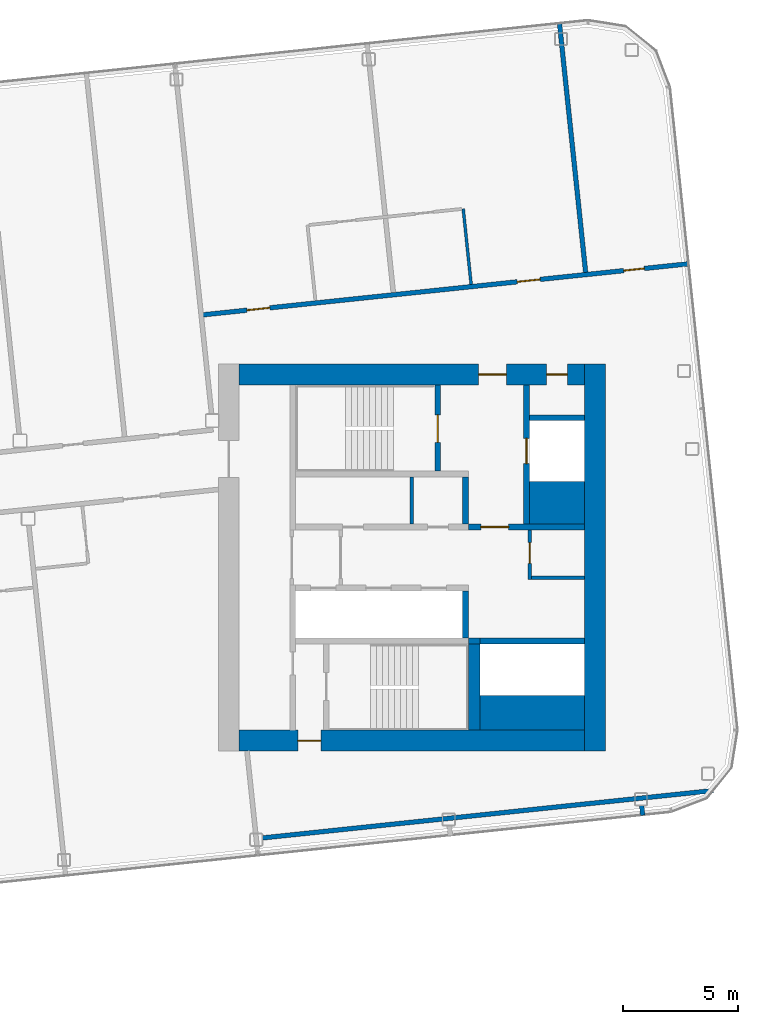
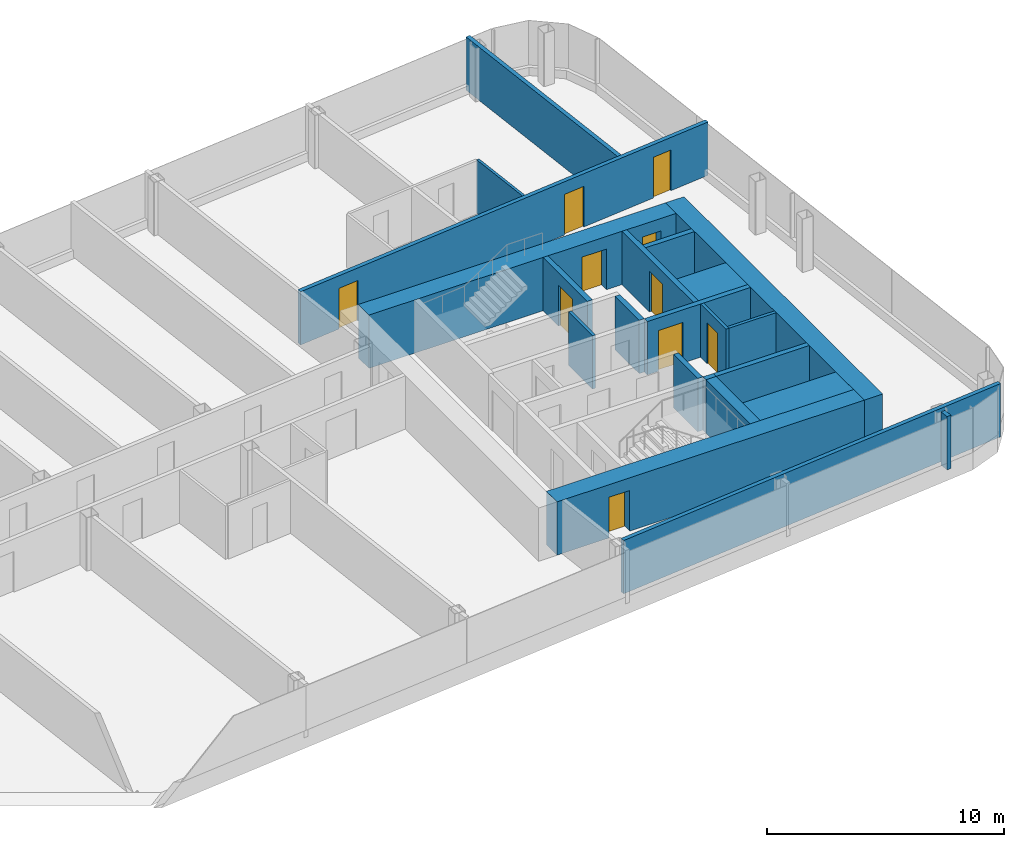
# One storey, part 18 of 27: 22 walls, 10 doors, 10 openings.
"""IFC4 building model written with IfcOpenShell, lengths in metres."""

import ifcopenshell
import ifcopenshell.guid

model = None  # the IFC model being written
_history = None  # IfcOwnerHistory: only IFC2X3 demands one
_inside = {}  # id of a spatial element -> (the spatial element, [elements in it])
_under = {}  # id of a project, library or spatial element -> (it, [spatial elements below it])
_declared = {}  # id of a project -> (the project, [libraries it declares])
_typed = {}  # id of a type object -> (the type object, [elements of that type])
_made_of = {}  # id of a material, layer set ... -> (it, [elements and type objects made of it])


def new_model(schema):
    """Start an empty IFC model of exactly this schema.

    Asked for "IFC4X3", IfcOpenShell would pick the latest addendum, in which some entities
    have other attributes; the version numbers below select the first issue.
    IFC2X3 requires an IfcOwnerHistory on every rooted entity: one is made here for all.
    """
    global model, _history
    if schema == "IFC4X3":
        model = ifcopenshell.file(schema_version=(4, 3, 0, 0))
    else:
        model = ifcopenshell.file(schema=schema)
    _inside.clear()
    _under.clear()
    _declared.clear()
    _typed.clear()
    _made_of.clear()
    _history = None
    if model.schema == "IFC2X3":
        org = make("IfcOrganization", Name="unknown")
        user = make(
            "IfcPersonAndOrganization",
            ThePerson=make("IfcPerson", FamilyName="unknown"),
            TheOrganization=org,
        )
        app = make(
            "IfcApplication",
            ApplicationDeveloper=org,
            Version="unknown",
            ApplicationFullName="unknown",
            ApplicationIdentifier="unknown",
        )
        _history = make(
            "IfcOwnerHistory",
            OwningUser=user,
            OwningApplication=app,
            ChangeAction="ADDED",
            CreationDate=0,
        )
    return model


def make(cls, **values):
    """One entity of the class cls with the attributes given. An attribute that is None is left unset."""
    return model.create_entity(
        cls, **{name: value for name, value in values.items() if value is not None}
    )


def rooted(cls, **values):
    """An entity with a GlobalId (a new one), such as an element, a storey or a relation."""
    return make(cls, GlobalId=ifcopenshell.guid.new(), OwnerHistory=_history, **values)


def si_unit(unit_type, name, prefix=None):
    """IfcSIUnit, for example si_unit("LENGTHUNIT", "METRE", prefix="MILLI")."""
    return make("IfcSIUnit", UnitType=unit_type, Prefix=prefix, Name=name)


def assignment(units):
    """IfcUnitAssignment: the units of a project."""
    return None if units is None else make("IfcUnitAssignment", Units=units)


def point(xyz):
    """IfcCartesianPoint."""
    return None if xyz is None else make("IfcCartesianPoint", Coordinates=xyz)


def direction(xyz):
    """IfcDirection."""
    return None if xyz is None else make("IfcDirection", DirectionRatios=xyz)


def frame(location, z_axis=None, x_axis=None):
    """IfcAxis2Placement3D, a coordinate frame: its origin and axes. An axis left out is left unset."""
    return make(
        "IfcAxis2Placement3D",
        Location=point(location),
        Axis=direction(z_axis),
        RefDirection=direction(x_axis),
    )


def frame_2d(location, x_axis=None):
    """IfcAxis2Placement2D, a coordinate frame in the plane: its origin and x axis."""
    return make(
        "IfcAxis2Placement2D", Location=point(location), RefDirection=direction(x_axis)
    )


def origin():
    """The frame at (0, 0, 0) with its axes left unset."""
    return frame((0.0, 0.0, 0.0))


def place(relative_to, where):
    """IfcLocalPlacement: puts the frame where relative to a parent placement (None: the world)."""
    return make(
        "IfcLocalPlacement", PlacementRelTo=relative_to, RelativePlacement=where
    )


def context(
    kind, dimensions, precision=None, world=None, true_north=None, identifier=None
):
    """IfcGeometricRepresentationContext, for example the 3D "Model" context."""
    return make(
        "IfcGeometricRepresentationContext",
        ContextIdentifier=identifier,
        ContextType=kind,
        CoordinateSpaceDimension=dimensions,
        Precision=precision,
        WorldCoordinateSystem=world,
        TrueNorth=true_north,
    )


def subcontext(parent, identifier, kind, view, scale=None):
    """IfcGeometricRepresentationSubContext, for example "Body" below "Model"."""
    return make(
        "IfcGeometricRepresentationSubContext",
        ContextIdentifier=identifier,
        ContextType=kind,
        ParentContext=parent,
        TargetScale=scale,
        TargetView=view,
    )


def project(units=None, contexts=None):
    """IfcProject with its units and contexts."""
    return rooted(
        "IfcProject",
        Name="project",
        RepresentationContexts=contexts,
        UnitsInContext=assignment(units),
    )


def spatial(cls, under=None, at=None, **own):
    """A site, building, storey or space (cls), placed at a placement, below another one or the project."""
    s = rooted(cls, ObjectPlacement=at, **own)
    if under is not None:
        _under.setdefault(under.id(), (under, []))[1].append(s)
    return s


def profile(cls, at=None, kind="AREA", **sizes):
    """A parametric profile (cls). Its sizes go by their IFC names, for example OverallWidth=200.0."""
    return make(cls, ProfileType=kind, Position=at, **sizes)


def rectangle(**sizes):
    """IfcRectangleProfileDef."""
    return profile("IfcRectangleProfileDef", **sizes)


def extrude(swept, where, along, depth):
    """IfcExtrudedAreaSolid: the profile swept, set in the frame where, extruded along a direction by depth."""
    return make(
        "IfcExtrudedAreaSolid",
        SweptArea=swept,
        Position=where,
        ExtrudedDirection=direction(along),
        Depth=depth,
    )


def shape(context_of_items, identifier, shape_type, items):
    """IfcShapeRepresentation: the items that make up one representation, for example the "Body"."""
    return make(
        "IfcShapeRepresentation",
        ContextOfItems=context_of_items,
        RepresentationIdentifier=identifier,
        RepresentationType=shape_type,
        Items=items,
    )


def material(Name=None, Category=None):
    """IfcMaterial."""
    return make("IfcMaterial", Name=Name, Category=Category)


def layer(
    of_material, thickness, ventilated=None, Name=None, Category=None, Priority=None
):
    """IfcMaterialLayer: one layer of a wall or slab, of a material (None: an air gap)."""
    return make(
        "IfcMaterialLayer",
        Material=of_material,
        LayerThickness=thickness,
        IsVentilated=ventilated,
        Name=Name,
        Category=Category,
        Priority=Priority,
    )


def layer_set(layers, Name=None):
    """IfcMaterialLayerSet."""
    return make("IfcMaterialLayerSet", MaterialLayers=layers, LayerSetName=Name)


def made_of(thing, what):
    """Note that an element or type object is made of a material, layer set ...; save() writes the relation."""
    if what is not None:
        _made_of.setdefault(what.id(), (what, []))[1].append(thing)
    return thing


def type_object(cls, material=None, **own):
    """A type object (cls), such as IfcWallType, which elements share."""
    return made_of(rooted(cls, **own), material)


def element(
    cls,
    number,
    at=None,
    inside=None,
    cuts=None,
    type_object=None,
    material=None,
    context=None,
    identifier="Body",
    shape_type=None,
    held_by="IfcProductDefinitionShape",
    body=None,
    shapes=None,
    **own,
):
    """One element of the class cls, such as IfcWall. Its Tag is "e" and its number.

    at: its placement. inside: the storey or other place that contains it. cuts: it is an
    opening in that element (IfcRelVoidsElement). A single representation is given by context,
    identifier, shape_type and body (its items); several are given by shapes. held_by: the class
    of the entity that holds the representations. save() writes the other relations.
    """
    e = rooted(cls, Tag="e%d" % number, ObjectPlacement=at, **own)
    if body is not None:
        shapes = [shape(context, identifier, shape_type, body)]
    if shapes is not None:
        e.Representation = make(held_by, Representations=shapes)
    if inside is not None:
        _inside.setdefault(inside.id(), (inside, []))[1].append(e)
    if cuts is not None:
        rooted(
            "IfcRelVoidsElement", RelatingBuildingElement=cuts, RelatedOpeningElement=e
        )
    if type_object is not None:
        _typed.setdefault(type_object.id(), (type_object, []))[1].append(e)
    return made_of(e, material)


def fill(opening, filler):
    """IfcRelFillsElement: the door or window that sits in an opening."""
    return rooted(
        "IfcRelFillsElement",
        RelatingOpeningElement=opening,
        RelatedBuildingElement=filler,
    )


def aggregate(whole, parts):
    """IfcRelAggregates: a whole, such as a stair, and the parts it consists of."""
    return rooted("IfcRelAggregates", RelatingObject=whole, RelatedObjects=parts)


def save(model, path):
    """Write the relations noted so far, then the file.

    IfcRelAggregates (storeys below a building ...), IfcRelContainedInSpatialStructure (elements
    in a storey), IfcRelDefinesByType, IfcRelAssociatesMaterial and IfcRelDeclares: one each for
    every whole, place, type object, material and project.
    """
    for whole, parts in _under.values():
        aggregate(whole, parts)
    for where, things in _inside.values():
        rooted(
            "IfcRelContainedInSpatialStructure",
            RelatedElements=things,
            RelatingStructure=where,
        )
    for kind, things in _typed.values():
        rooted("IfcRelDefinesByType", RelatedObjects=things, RelatingType=kind)
    for what, things in _made_of.values():
        rooted("IfcRelAssociatesMaterial", RelatedObjects=things, RelatingMaterial=what)
    for by, libraries in _declared.values():
        rooted("IfcRelDeclares", RelatingContext=by, RelatedDefinitions=libraries)
    model.write(path)


model = new_model("IFC4")

# Units and contexts
model_context = context("Model", 3, precision=1e-05, world=origin(), true_north=direction((0.0, 1.0)))
body_context = subcontext(model_context, "Body", "Model", "MODEL_VIEW")
ifc_project = project(units=[si_unit("LENGTHUNIT", "METRE"), si_unit("AREAUNIT", "SQUARE_METRE"), si_unit("VOLUMEUNIT", "CUBIC_METRE"), si_unit("PLANEANGLEUNIT", "RADIAN"), si_unit("MASSUNIT", "GRAM", prefix="KILO")], contexts=[model_context])

# Site, building, storey
site_placement = place(None, origin())
site = spatial("IfcSite", under=ifc_project, at=site_placement, CompositionType="ELEMENT")
building_placement = place(site_placement, origin())
building = spatial("IfcBuilding", under=site, at=building_placement, Name="Hakoniwa Tower and Hamabe Station Hall", CompositionType="ELEMENT")
storey_placement = place(building_placement, frame((0.0, 0.0, 239.0)))
storey = spatial("IfcBuildingStorey", under=building, at=storey_placement, Name="L67", CompositionType="ELEMENT", Elevation=239.0)

# Wall
ifc_material_1 = material(Name="Gypsum board partition", Category="gypsum")
ifc_layer_1 = layer(ifc_material_1, 0.125)
ifc_layer_set_1 = layer_set([ifc_layer_1], Name="Bathroom Partition 125")
wall_type_1 = type_object("IfcWallType", Name="Bathroom Partition 125", PredefinedType="PARTITIONING", material=ifc_layer_set_1)
wall_1_placement = place(storey_placement, frame((27.773193359375, 11.865966796875, 0.0), z_axis=(0.0, 0.0, 1.0), x_axis=(-0.104534592565, 0.994521251134, 0.0)))
element("IfcWall", 1, at=wall_1_placement, inside=storey, type_object=wall_type_1, Name="GW-L67-041", PredefinedType="PARTITIONING", context=body_context, shape_type="SweptSolid", body=[
    extrude(rectangle(XDim=3.300048828125, YDim=0.125, at=frame_2d((1.64990234375, 0.0))), origin(), (0.0, 0.0, 1.0), 2.75),
])

# Wall, opening, door
ifc_material_2 = material(Name="Gypsum board partition")
ifc_layer_2 = layer(ifc_material_2, 0.14990234375)
ifc_layer_set_2 = layer_set([ifc_layer_2], Name="CORE PARTITION 150 EI 60")
wall_type_2 = type_object("IfcWallType", Name="CORE PARTITION 150 EI 60", PredefinedType="PARTITIONING", material=ifc_layer_set_2)
wall_2_placement = place(storey_placement, frame((30.324951171875, -0.949951171875, 0.0), z_axis=(0.0, 0.0, 1.0), x_axis=(0.0, 1.0, 0.0)))
wall_2 = element("IfcWall", 2, at=wall_2_placement, inside=storey, type_object=wall_type_2, Name="Core partition PW0 east", PredefinedType="PARTITIONING", context=body_context, shape_type="SweptSolid", body=[
    extrude(rectangle(XDim=2.14990234375, YDim=0.14990234375, at=frame_2d((1.074951171875, 0.0))), origin(), (0.0, 0.0, 1.0), 2.75),
])
opening_1_placement = place(wall_2_placement, frame((0.699951171875, 0.0, 0.0)))
opening_1 = element("IfcOpeningElement", 3, at=opening_1_placement, cuts=wall_2, Name="Opening CD-E-RM1-9", PredefinedType="OPENING", context=body_context, shape_type="SweptSolid", body=[
    extrude(rectangle(XDim=0.89990234375, YDim=2.10009765625, at=frame_2d((0.449951171875, 1.050048828125))), frame((0.0, 0.0849609375, 0.0), z_axis=(0.0, -1.0, 0.0), x_axis=(1.0, 0.0, 0.0)), (0.0, 0.0, 1.0), 0.169921875),
])
ifc_material_3 = material(Name="Steel fire door", Category="steel")
door_type_1 = type_object("IfcDoorType", Name="CORE DOOR 900 FD30", OperationType="NOTDEFINED", PredefinedType="DOOR", material=ifc_material_3)
door_1_placement = place(opening_1_placement, origin())
door_1 = element("IfcDoor", 4, at=door_1_placement, inside=storey, type_object=door_type_1, Name="Store room door", OperationType="SINGLE_SWING_LEFT", OverallHeight=2.10009765625, OverallWidth=0.89990234375, PredefinedType="DOOR", context=body_context, shape_type="SweptSolid", body=[
    extrude(rectangle(XDim=0.89990234375, YDim=2.10009765625, at=frame_2d((0.449951171875, 1.050048828125))), frame((0.0, 0.02490234375, 0.0), z_axis=(0.0, -1.0, 0.0), x_axis=(1.0, 0.0, 0.0)), (0.0, 0.0, 1.0), 0.050048828125),
])
fill(opening_1, door_1)

# Walls
wall_3_placement = place(storey_placement, frame((30.39990234375, -0.875, 0.0), z_axis=(0.0, 0.0, 1.0), x_axis=(1.0, 0.0, 0.0)))
element("IfcWall", 5, at=wall_3_placement, inside=storey, type_object=wall_type_2, Name="Core partition PS east", PredefinedType="PARTITIONING", context=body_context, shape_type="SweptSolid", body=[
    extrude(rectangle(XDim=2.300048828125, YDim=0.14990234375, at=frame_2d((1.14990234375, 0.0))), origin(), (0.0, 0.0, 1.0), 2.75),
])
wall_4_placement = place(storey_placement, frame((25.199951171875, 1.449951171875, 0.0), z_axis=(0.0, 0.0, 1.0), x_axis=(0.0, 1.0, 0.0)))
element("IfcWall", 6, at=wall_4_placement, inside=storey, type_object=wall_type_2, Name="Core partition PFLR0 east", PredefinedType="PARTITIONING", context=body_context, shape_type="SweptSolid", body=[
    extrude(rectangle(XDim=2.050048828125, YDim=0.14990234375, at=frame_2d((1.02490234375, 0.0))), origin(), (0.0, 0.0, 1.0), 2.75),
])
ifc_material_4 = material(Name="Concrete C60", Category="concrete")
ifc_layer_3 = layer(ifc_material_4, 0.89990234375)
ifc_layer_set_3 = layer_set([ifc_layer_3], Name="CORE WALL 900 C60")
wall_type_3 = type_object("IfcWallType", Name="CORE WALL 900 C60", PredefinedType="SHEAR", material=ifc_layer_set_3)
wall_5_placement = place(storey_placement, frame((33.14990234375, -8.39990234375, 0.0), z_axis=(0.0, 0.0, 1.0), x_axis=(0.0, 1.0, 0.0)))
element("IfcWall", 7, at=wall_5_placement, inside=storey, type_object=wall_type_3, Name="Core wall OUTER east", PredefinedType="SHEAR", context=body_context, shape_type="SweptSolid", body=[
    extrude(rectangle(XDim=16.7998046875, YDim=0.89990234375, at=frame_2d((8.39990234375, 0.0))), origin(), (0.0, 0.0, 1.0), 2.75),
])

# Wall, openings, doors
wall_6_placement = place(storey_placement, frame((17.699951171875, 7.949951171875, 0.0), z_axis=(0.0, 0.0, 1.0), x_axis=(1.0, 0.0, 0.0)))
wall_6 = element("IfcWall", 8, at=wall_6_placement, inside=storey, type_object=wall_type_3, Name="Core wall NORTH east", PredefinedType="SHEAR", context=body_context, shape_type="SweptSolid", body=[
    extrude(rectangle(XDim=15.0, YDim=0.89990234375, at=frame_2d((7.5, 0.0))), origin(), (0.0, 0.0, 1.0), 2.75),
])
opening_2_placement = place(wall_6_placement, frame((10.39990234375, 0.0, 0.0)))
opening_2 = element("IfcOpeningElement", 9, at=opening_2_placement, cuts=wall_6, Name="Opening CD-E-FN1-12", PredefinedType="OPENING", context=body_context, shape_type="SweptSolid", body=[
    extrude(rectangle(XDim=1.199951171875, YDim=2.10009765625, at=frame_2d((0.60009765625, 1.050048828125))), frame((0.0, 0.4599609375, 0.0), z_axis=(0.0, -1.0, 0.0), x_axis=(1.0, 0.0, 0.0)), (0.0, 0.0, 1.0), 0.919921875),
])
opening_3_placement = place(wall_6_placement, frame((13.35009765625, 0.0, 0.0)))
opening_3 = element("IfcOpeningElement", 10, at=opening_3_placement, cuts=wall_6, Name="Opening CD-E-FN2-9", PredefinedType="OPENING", context=body_context, shape_type="SweptSolid", body=[
    extrude(rectangle(XDim=0.89990234375, YDim=2.10009765625, at=frame_2d((0.449951171875, 1.050048828125))), frame((0.0, 0.4599609375, 0.0), z_axis=(0.0, -1.0, 0.0), x_axis=(1.0, 0.0, 0.0)), (0.0, 0.0, 1.0), 0.919921875),
])
ifc_material_5 = material(Name="Steel fire door", Category="steel")
door_type_2 = type_object("IfcDoorType", Name="CORE DOOR 1200 FD60", OperationType="DOUBLE_DOOR_SINGLE_SWING", PredefinedType="DOOR", material=ifc_material_5)
door_2_placement = place(opening_2_placement, origin())
door_2 = element("IfcDoor", 11, at=door_2_placement, inside=storey, type_object=door_type_2, Name="Stair vestibule door to the fire-fighting lobby", OperationType="DOUBLE_DOOR_SINGLE_SWING", OverallHeight=2.10009765625, OverallWidth=1.199951171875, PredefinedType="DOOR", context=body_context, shape_type="SweptSolid", body=[
    extrude(rectangle(XDim=1.199951171875, YDim=2.10009765625, at=frame_2d((0.60009765625, 1.050048828125))), frame((0.0, 0.02490234375, 0.0), z_axis=(0.0, -1.0, 0.0), x_axis=(1.0, 0.0, 0.0)), (0.0, 0.0, 1.0), 0.050048828125),
])
fill(opening_2, door_2)
door_3_placement = place(opening_3_placement, origin())
door_3 = element("IfcDoor", 12, at=door_3_placement, inside=storey, type_object=door_type_1, Name="Riser access door", OperationType="SINGLE_SWING_RIGHT", OverallHeight=2.10009765625, OverallWidth=0.89990234375, PredefinedType="DOOR", context=body_context, shape_type="SweptSolid", body=[
    extrude(rectangle(XDim=0.89990234375, YDim=2.10009765625, at=frame_2d((0.449951171875, 1.050048828125))), frame((0.0, 0.02490234375, 0.0), z_axis=(0.0, -1.0, 0.0), x_axis=(1.0, 0.0, 0.0)), (0.0, 0.0, 1.0), 0.050048828125),
])
fill(opening_3, door_3)

# Wall, opening, door
wall_7_placement = place(storey_placement, frame((17.699951171875, -7.949951171875, 0.0), z_axis=(0.0, 0.0, 1.0), x_axis=(1.0, 0.0, 0.0)))
wall_7 = element("IfcWall", 13, at=wall_7_placement, inside=storey, type_object=wall_type_3, Name="Core wall SOUTH east", PredefinedType="SHEAR", context=body_context, shape_type="SweptSolid", body=[
    extrude(rectangle(XDim=15.0, YDim=0.89990234375, at=frame_2d((7.5, 0.0))), origin(), (0.0, 0.0, 1.0), 2.75),
])
opening_4_placement = place(wall_7_placement, frame((2.550048828125, 0.0, 0.0)))
opening_4 = element("IfcOpeningElement", 14, at=opening_4_placement, cuts=wall_7, Name="Opening CD-E-FS3-10", PredefinedType="OPENING", context=body_context, shape_type="SweptSolid", body=[
    extrude(rectangle(XDim=1.0, YDim=2.10009765625, at=frame_2d((0.5, 1.050048828125))), frame((0.0, 0.4599609375, 0.0), z_axis=(0.0, -1.0, 0.0), x_axis=(1.0, 0.0, 0.0)), (0.0, 0.0, 1.0), 0.919921875),
])
ifc_material_6 = material(Name="Steel fire door", Category="steel")
door_type_3 = type_object("IfcDoorType", Name="CORE DOOR 1000 FD60", OperationType="NOTDEFINED", PredefinedType="DOOR", material=ifc_material_6)
door_4_placement = place(opening_4_placement, origin())
door_4 = element("IfcDoor", 15, at=door_4_placement, inside=storey, type_object=door_type_3, Name="Stair vestibule door", OperationType="SINGLE_SWING_RIGHT", OverallHeight=2.10009765625, OverallWidth=1.0, PredefinedType="DOOR", context=body_context, shape_type="SweptSolid", body=[
    extrude(rectangle(XDim=1.0, YDim=2.10009765625, at=frame_2d((0.5, 1.050048828125))), frame((0.0, 0.02490234375, 0.0), z_axis=(0.0, -1.0, 0.0), x_axis=(1.0, 0.0, 0.0)), (0.0, 0.0, 1.0), 0.050048828125),
])
fill(opening_4, door_4)

# Walls
ifc_material_7 = material(Name="Concrete C60", Category="concrete")
ifc_layer_4 = layer(ifc_material_7, 1.5)
ifc_layer_set_4 = layer_set([ifc_layer_4], Name="CORE WEB WALL 1500 C60")
wall_type_4 = type_object("IfcWallType", Name="CORE WEB WALL 1500 C60", PredefinedType="SHEAR", material=ifc_layer_set_4)
wall_8_placement = place(storey_placement, frame((28.14990234375, -6.75, 0.0), z_axis=(0.0, 0.0, 1.0), x_axis=(1.0, 0.0, 0.0)))
element("IfcWall", 16, at=wall_8_placement, inside=storey, type_object=wall_type_4, Name="Core wall SER east", PredefinedType="SHEAR", context=body_context, shape_type="SweptSolid", body=[
    extrude(rectangle(XDim=4.550048828125, YDim=1.5, at=frame_2d((2.27490234375, 0.0))), origin(), (0.0, 0.0, 1.0), 2.75),
])
ifc_material_8 = material(Name="Concrete C60", Category="concrete")
ifc_layer_5 = layer(ifc_material_8, 1.85009765625)
ifc_layer_set_5 = layer_set([ifc_layer_5], Name="CORE WEB WALL 1850 C60")
wall_type_5 = type_object("IfcWallType", Name="CORE WEB WALL 1850 C60", PredefinedType="SHEAR", material=ifc_layer_set_5)
wall_9_placement = place(storey_placement, frame((30.300048828125, 2.375, 0.0), z_axis=(0.0, 0.0, 1.0), x_axis=(1.0, 0.0, 0.0)))
element("IfcWall", 17, at=wall_9_placement, inside=storey, type_object=wall_type_5, Name="Core wall CA east", PredefinedType="SHEAR", context=body_context, shape_type="SweptSolid", body=[
    extrude(rectangle(XDim=2.39990234375, YDim=1.85009765625, at=frame_2d((1.199951171875, 0.0))), origin(), (0.0, 0.0, 1.0), 2.75),
])
ifc_material_9 = material(Name="Concrete C60", Category="concrete")
ifc_layer_6 = layer(ifc_material_9, 0.25)
ifc_layer_set_6 = layer_set([ifc_layer_6], Name="CORE WEB WALL 250 C60")
wall_type_6 = type_object("IfcWallType", Name="CORE WEB WALL 250 C60", PredefinedType="SHEAR", material=ifc_layer_set_6)
wall_10_placement = place(storey_placement, frame((27.52490234375, 1.449951171875, 0.0), z_axis=(0.0, 0.0, 1.0), x_axis=(0.0, 1.0, 0.0)))
element("IfcWall", 18, at=wall_10_placement, inside=storey, type_object=wall_type_6, Name="Core wall NE east", PredefinedType="SHEAR", context=body_context, shape_type="SweptSolid", body=[
    extrude(rectangle(XDim=2.050048828125, YDim=0.25, at=frame_2d((1.02490234375, 0.0))), origin(), (0.0, 0.0, 1.0), 2.75),
])

# Wall, opening, door
wall_11_placement = place(storey_placement, frame((26.324951171875, 3.75, 0.0), z_axis=(0.0, 0.0, 1.0), x_axis=(0.0, 1.0, 0.0)))
wall_11 = element("IfcWall", 19, at=wall_11_placement, inside=storey, type_object=wall_type_6, Name="Core wall NSE east", PredefinedType="SHEAR", context=body_context, shape_type="SweptSolid", body=[
    extrude(rectangle(XDim=3.75, YDim=0.25, at=frame_2d((1.875, 0.0))), origin(), (0.0, 0.0, 1.0), 2.75),
])
opening_5_placement = place(wall_11_placement, frame((1.25, 0.0, 0.0)))
opening_5 = element("IfcOpeningElement", 20, at=opening_5_placement, cuts=wall_11, Name="Opening CD-E-SN-12", PredefinedType="OPENING", context=body_context, shape_type="SweptSolid", body=[
    extrude(rectangle(XDim=1.199951171875, YDim=2.10009765625, at=frame_2d((0.60009765625, 1.050048828125))), frame((0.0, 0.135009765625, 0.0), z_axis=(0.0, -1.0, 0.0), x_axis=(1.0, 0.0, 0.0)), (0.0, 0.0, 1.0), 0.27001953125),
])
door_5_placement = place(opening_5_placement, origin())
door_5 = element("IfcDoor", 21, at=door_5_placement, inside=storey, type_object=door_type_2, Name="Escape stair door", OperationType="DOUBLE_DOOR_SINGLE_SWING", OverallHeight=2.10009765625, OverallWidth=1.199951171875, PredefinedType="DOOR", context=body_context, shape_type="SweptSolid", body=[
    extrude(rectangle(XDim=1.199951171875, YDim=2.10009765625, at=frame_2d((0.60009765625, 1.050048828125))), frame((0.0, 0.02490234375, 0.0), z_axis=(0.0, -1.0, 0.0), x_axis=(1.0, 0.0, 0.0)), (0.0, 0.0, 1.0), 0.050048828125),
])
fill(opening_5, door_5)

wall_12_placement = place(storey_placement, frame((27.64990234375, 1.324951171875, 0.0), z_axis=(0.0, 0.0, 1.0), x_axis=(1.0, 0.0, 0.0)))
wall_12 = element("IfcWall", 22, at=wall_12_placement, inside=storey, type_object=wall_type_6, Name="Core wall ELN east", PredefinedType="SHEAR", context=body_context, shape_type="SweptSolid", body=[
    extrude(rectangle(XDim=5.050048828125, YDim=0.25, at=frame_2d((2.52490234375, 0.0))), origin(), (0.0, 0.0, 1.0), 2.75),
])
opening_6_placement = place(wall_12_placement, frame((0.550048828125, 0.0, 0.0)))
opening_6 = element("IfcOpeningElement", 23, at=opening_6_placement, cuts=wall_12, Name="Opening CD-E-FL-12", PredefinedType="OPENING", context=body_context, shape_type="SweptSolid", body=[
    extrude(rectangle(XDim=1.199951171875, YDim=2.10009765625, at=frame_2d((0.60009765625, 1.050048828125))), frame((0.0, 0.135009765625, 0.0), z_axis=(0.0, -1.0, 0.0), x_axis=(1.0, 0.0, 0.0)), (0.0, 0.0, 1.0), 0.27001953125),
])
door_6_placement = place(opening_6_placement, origin())
door_6 = element("IfcDoor", 24, at=door_6_placement, inside=storey, type_object=door_type_2, Name="Stair vestibule door to the fire-fighting lobby", OperationType="DOUBLE_DOOR_SINGLE_SWING", OverallHeight=2.10009765625, OverallWidth=1.199951171875, PredefinedType="DOOR", context=body_context, shape_type="SweptSolid", body=[
    extrude(rectangle(XDim=1.199951171875, YDim=2.10009765625, at=frame_2d((0.60009765625, 1.050048828125))), frame((0.0, 0.02490234375, 0.0), z_axis=(0.0, -1.0, 0.0), x_axis=(1.0, 0.0, 0.0)), (0.0, 0.0, 1.0), 0.050048828125),
])
fill(opening_6, door_6)

wall_13_placement = place(storey_placement, frame((30.175048828125, 1.449951171875, 0.0), z_axis=(0.0, 0.0, 1.0), x_axis=(0.0, 1.0, 0.0)))
wall_13 = element("IfcWall", 25, at=wall_13_placement, inside=storey, type_object=wall_type_6, Name="Core wall FFF east", PredefinedType="SHEAR", context=body_context, shape_type="SweptSolid", body=[
    extrude(rectangle(XDim=6.050048828125, YDim=0.25, at=frame_2d((3.02490234375, 0.0))), origin(), (0.0, 0.0, 1.0), 2.75),
])
opening_7_placement = place(wall_13_placement, frame((2.625, 0.0, 0.0)))
opening_7 = element("IfcOpeningElement", 26, at=opening_7_placement, cuts=wall_13, Name="Opening LD-FF2", PredefinedType="OPENING", context=body_context, shape_type="SweptSolid", body=[
    extrude(rectangle(XDim=1.10009765625, YDim=2.10009765625, at=frame_2d((0.550048828125, 1.050048828125))), frame((0.0, 0.135009765625, 0.0), z_axis=(0.0, -1.0, 0.0), x_axis=(1.0, 0.0, 0.0)), (0.0, 0.0, 1.0), 0.27001953125),
])
ifc_material_10 = material(Name="Stainless steel SUS304", Category="steel")
door_type_4 = type_object("IfcDoorType", Name="LIFT LANDING DOOR 1100 FD60", OperationType="DOUBLE_DOOR_SLIDING", PredefinedType="DOOR", material=ifc_material_10)
door_7_placement = place(opening_7_placement, origin())
door_7 = element("IfcDoor", 27, at=door_7_placement, inside=storey, type_object=door_type_4, Name="Lift landing door FF2 L67", OperationType="DOUBLE_DOOR_SLIDING", OverallHeight=2.10009765625, OverallWidth=1.10009765625, PredefinedType="DOOR", context=body_context, shape_type="SweptSolid", body=[
    extrude(rectangle(XDim=1.10009765625, YDim=2.10009765625, at=frame_2d((0.550048828125, 1.050048828125))), frame((0.0, 0.02490234375, 0.0), z_axis=(0.0, -1.0, 0.0), x_axis=(1.0, 0.0, 0.0)), (0.0, 0.0, 1.0), 0.050048828125),
])
fill(opening_7, door_7)

# Walls
wall_14_placement = place(storey_placement, frame((30.300048828125, 6.074951171875, 0.0), z_axis=(0.0, 0.0, 1.0), x_axis=(1.0, 0.0, 0.0)))
element("IfcWall", 28, at=wall_14_placement, inside=storey, type_object=wall_type_6, Name="Core wall C2 east", PredefinedType="SHEAR", context=body_context, shape_type="SweptSolid", body=[
    extrude(rectangle(XDim=2.39990234375, YDim=0.25, at=frame_2d((1.199951171875, 0.0))), origin(), (0.0, 0.0, 1.0), 2.75),
])
wall_15_placement = place(storey_placement, frame((27.52490234375, -3.5, 0.0), z_axis=(0.0, 0.0, 1.0), x_axis=(0.0, 1.0, 0.0)))
element("IfcWall", 29, at=wall_15_placement, inside=storey, type_object=wall_type_6, Name="Core wall SE east", PredefinedType="SHEAR", context=body_context, shape_type="SweptSolid", body=[
    extrude(rectangle(XDim=2.050048828125, YDim=0.25, at=frame_2d((1.02490234375, 0.0))), origin(), (0.0, 0.0, 1.0), 2.75),
])
wall_16_placement = place(storey_placement, frame((28.14990234375, -3.625, 0.0), z_axis=(0.0, 0.0, 1.0), x_axis=(1.0, 0.0, 0.0)))
element("IfcWall", 30, at=wall_16_placement, inside=storey, type_object=wall_type_6, Name="Core wall SEF east", PredefinedType="SHEAR", context=body_context, shape_type="SweptSolid", body=[
    extrude(rectangle(XDim=4.550048828125, YDim=0.25, at=frame_2d((2.27490234375, 0.0))), origin(), (0.0, 0.0, 1.0), 2.75),
])
wall_17_placement = place(storey_placement, frame((27.64990234375, -3.625, 0.0), z_axis=(0.0, 0.0, 1.0), x_axis=(1.0, 0.0, 0.0)))
element("IfcWall", 31, at=wall_17_placement, inside=storey, type_object=wall_type_6, Name="Core wall SRK east", PredefinedType="SHEAR", context=body_context, shape_type="SweptSolid", body=[
    extrude(rectangle(XDim=0.5, YDim=0.25, at=frame_2d((0.25, 0.0))), origin(), (0.0, 0.0, 1.0), 2.75),
])
ifc_material_11 = material(Name="Concrete C60", Category="concrete")
ifc_layer_7 = layer(ifc_material_11, 0.5)
ifc_layer_set_7 = layer_set([ifc_layer_7], Name="CORE WEB WALL 500 C60")
wall_type_7 = type_object("IfcWallType", Name="CORE WEB WALL 500 C60", PredefinedType="SHEAR", material=ifc_layer_set_7)
wall_18_placement = place(storey_placement, frame((27.89990234375, -7.5, 0.0), z_axis=(0.0, 0.0, 1.0), x_axis=(0.0, 1.0, 0.0)))
element("IfcWall", 32, at=wall_18_placement, inside=storey, type_object=wall_type_7, Name="Core wall SSE east", PredefinedType="SHEAR", context=body_context, shape_type="SweptSolid", body=[
    extrude(rectangle(XDim=3.75, YDim=0.5, at=frame_2d((1.875, 0.0))), origin(), (0.0, 0.0, 1.0), 2.75),
])
ifc_material_12 = material(Name="Fire-rated gypsum board partition", Category="gypsum")
ifc_layer_8 = layer(ifc_material_12, 0.199951171875)
ifc_layer_set_8 = layer_set([ifc_layer_8], Name="Corridor Wall 200")
wall_type_8 = type_object("IfcWallType", Name="Corridor Wall 200", PredefinedType="PARTITIONING", material=ifc_layer_set_8)
wall_19_placement = place(storey_placement, frame((18.708251953125, -12.17724609375, 0.0), z_axis=(0.0, 0.0, 1.0), x_axis=(0.994521604238, 0.104531233147, 0.0)))
element("IfcWall", 33, at=wall_19_placement, inside=storey, type_object=wall_type_8, Name="GW-L67-001", PredefinedType="PARTITIONING", context=body_context, shape_type="SweptSolid", body=[
    extrude(rectangle(XDim=19.6982421875, YDim=0.199951171875, at=frame_2d((9.84912109375, 0.0))), origin(), (0.0, 0.0, 1.0), 2.75),
])

# Wall, openings, doors
wall_20_placement = place(storey_placement, frame((16.04833984375, 10.533203125, 0.0), z_axis=(0.0, 0.0, 1.0), x_axis=(0.994522460242, 0.104523088709, 0.0)))
wall_20 = element("IfcWall", 34, at=wall_20_placement, inside=storey, type_object=wall_type_8, Name="GW-L67-008", PredefinedType="PARTITIONING", context=body_context, shape_type="SweptSolid", body=[
    extrude(rectangle(XDim=21.2998046875, YDim=0.199951171875, at=frame_2d((10.64990234375, 0.0))), origin(), (0.0, 0.0, 1.0), 2.75),
])
opening_8_placement = place(wall_20_placement, frame((2.0, 0.0, 0.0)))
opening_8 = element("IfcOpeningElement", 35, at=opening_8_placement, cuts=wall_20, Name="Opening GD-G5A0-20", PredefinedType="OPENING", context=body_context, shape_type="SweptSolid", body=[
    extrude(rectangle(XDim=1.0, YDim=2.10009765625, at=frame_2d((0.5, 1.050048828125))), frame((0.0, 0.10986328125, 0.0), z_axis=(0.0, -1.0, 0.0), x_axis=(1.0, 0.0, 0.0)), (0.0, 0.0, 1.0), 0.219970703125),
])
opening_9_placement = place(wall_20_placement, frame((13.800048828125, 0.0, 0.0)))
opening_9 = element("IfcOpeningElement", 36, at=opening_9_placement, cuts=wall_20, Name="Opening GD-G5A0-21", PredefinedType="OPENING", context=body_context, shape_type="SweptSolid", body=[
    extrude(rectangle(XDim=1.0, YDim=2.10009765625, at=frame_2d((0.5, 1.050048828125))), frame((0.0, 0.10986328125, 0.0), z_axis=(0.0, -1.0, 0.0), x_axis=(1.0, 0.0, 0.0)), (0.0, 0.0, 1.0), 0.219970703125),
])
opening_10_placement = place(wall_20_placement, frame((18.449951171875, 0.0, 0.0)))
opening_10 = element("IfcOpeningElement", 37, at=opening_10_placement, cuts=wall_20, Name="Opening GD-G5A0-22", PredefinedType="OPENING", context=body_context, shape_type="SweptSolid", body=[
    extrude(rectangle(XDim=0.89990234375, YDim=2.10009765625, at=frame_2d((0.449951171875, 1.050048828125))), frame((0.0, 0.10986328125, 0.0), z_axis=(0.0, -1.0, 0.0), x_axis=(1.0, 0.0, 0.0)), (0.0, 0.0, 1.0), 0.219970703125),
])
ifc_material_13 = material(Name="Timber door leaf", Category="wood")
door_type_5 = type_object("IfcDoorType", Name="Guest Entrance Door 1000", OperationType="SINGLE_SWING_LEFT", PredefinedType="DOOR", material=ifc_material_13)
door_8_placement = place(opening_8_placement, origin())
door_8 = element("IfcDoor", 38, at=door_8_placement, inside=storey, type_object=door_type_5, Name="Door GD-G5A0-20", OperationType="SINGLE_SWING_RIGHT", OverallHeight=2.10009765625, OverallWidth=1.0, PredefinedType="DOOR", context=body_context, shape_type="SweptSolid", body=[
    extrude(rectangle(XDim=1.0, YDim=2.10009765625, at=frame_2d((0.5, 1.050048828125))), frame((0.0, 0.02490234375, 0.0), z_axis=(0.0, -1.0, 0.0), x_axis=(1.0, 0.0, 0.0)), (0.0, 0.0, 1.0), 0.050048828125),
])
fill(opening_8, door_8)
door_9_placement = place(opening_9_placement, origin())
door_9 = element("IfcDoor", 39, at=door_9_placement, inside=storey, type_object=door_type_5, Name="Door GD-G5A0-21", OperationType="SINGLE_SWING_LEFT", OverallHeight=2.10009765625, OverallWidth=1.0, PredefinedType="DOOR", context=body_context, shape_type="SweptSolid", body=[
    extrude(rectangle(XDim=1.0, YDim=2.10009765625, at=frame_2d((0.5, 1.050048828125))), frame((0.0, 0.02490234375, 0.0), z_axis=(0.0, -1.0, 0.0), x_axis=(1.0, 0.0, 0.0)), (0.0, 0.0, 1.0), 0.050048828125),
])
fill(opening_9, door_9)
ifc_material_14 = material(Name="Timber door leaf", Category="wood")
door_type_6 = type_object("IfcDoorType", Name="Service Door 900", OperationType="SINGLE_SWING_LEFT", PredefinedType="DOOR", material=ifc_material_14)
door_10_placement = place(opening_10_placement, origin())
door_10 = element("IfcDoor", 40, at=door_10_placement, inside=storey, type_object=door_type_6, Name="Door GD-G5A0-22", OperationType="SINGLE_SWING_RIGHT", OverallHeight=2.10009765625, OverallWidth=0.89990234375, PredefinedType="DOOR", context=body_context, shape_type="SweptSolid", body=[
    extrude(rectangle(XDim=0.89990234375, YDim=2.10009765625, at=frame_2d((0.449951171875, 1.050048828125))), frame((0.0, 0.02490234375, 0.0), z_axis=(0.0, -1.0, 0.0), x_axis=(1.0, 0.0, 0.0)), (0.0, 0.0, 1.0), 0.050048828125),
])
fill(opening_10, door_10)

# Walls
ifc_material_15 = material(Name="Fire-rated gypsum board partition", Category="gypsum")
ifc_layer_9 = layer(ifc_material_15, 0.199951171875)
ifc_layer_set_9 = layer_set([ifc_layer_9], Name="Party Wall 200")
wall_type_9 = type_object("IfcWallType", Name="Party Wall 200", PredefinedType="PARTITIONING", material=ifc_layer_set_9)
wall_21_placement = place(storey_placement, frame((35.224365234375, -11.193115234375, 0.0), z_axis=(0.0, 0.0, 1.0), x_axis=(-0.104743412259, 0.994499279833, 0.0)))
element("IfcWall", 41, at=wall_21_placement, inside=storey, type_object=wall_type_9, Name="GW-L67-042", PredefinedType="PARTITIONING", context=body_context, shape_type="SweptSolid", body=[
    extrude(rectangle(XDim=0.43359375, YDim=0.199951171875, at=frame_2d((0.216796875, 0.0))), origin(), (0.0, 0.0, 1.0), 2.75),
])
wall_22_placement = place(storey_placement, frame((32.745849609375, 12.388671875, 0.0), z_axis=(0.0, 0.0, 1.0), x_axis=(-0.104533048416, 0.994521413439, 0.0)))
element("IfcWall", 42, at=wall_22_placement, inside=storey, type_object=wall_type_9, Name="GW-L67-043", PredefinedType="PARTITIONING", context=body_context, shape_type="SweptSolid", body=[
    extrude(rectangle(XDim=10.88818359375, YDim=0.199951171875, at=frame_2d((5.444091796875, 0.0))), origin(), (0.0, 0.0, 1.0), 2.75),
])

save(model, "model.ifc")
